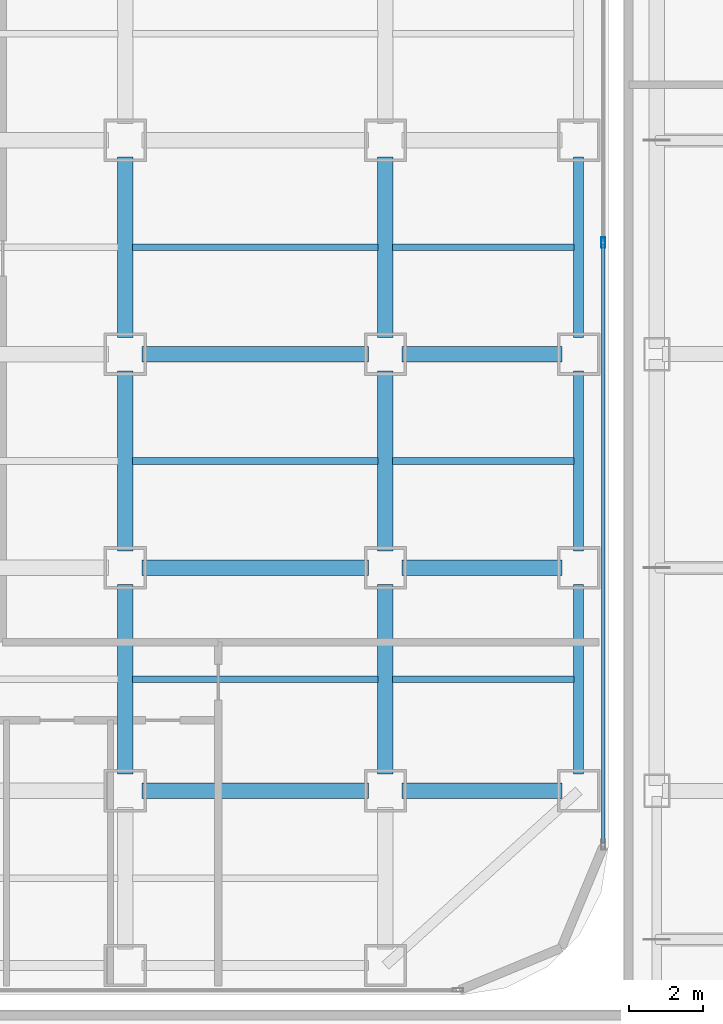
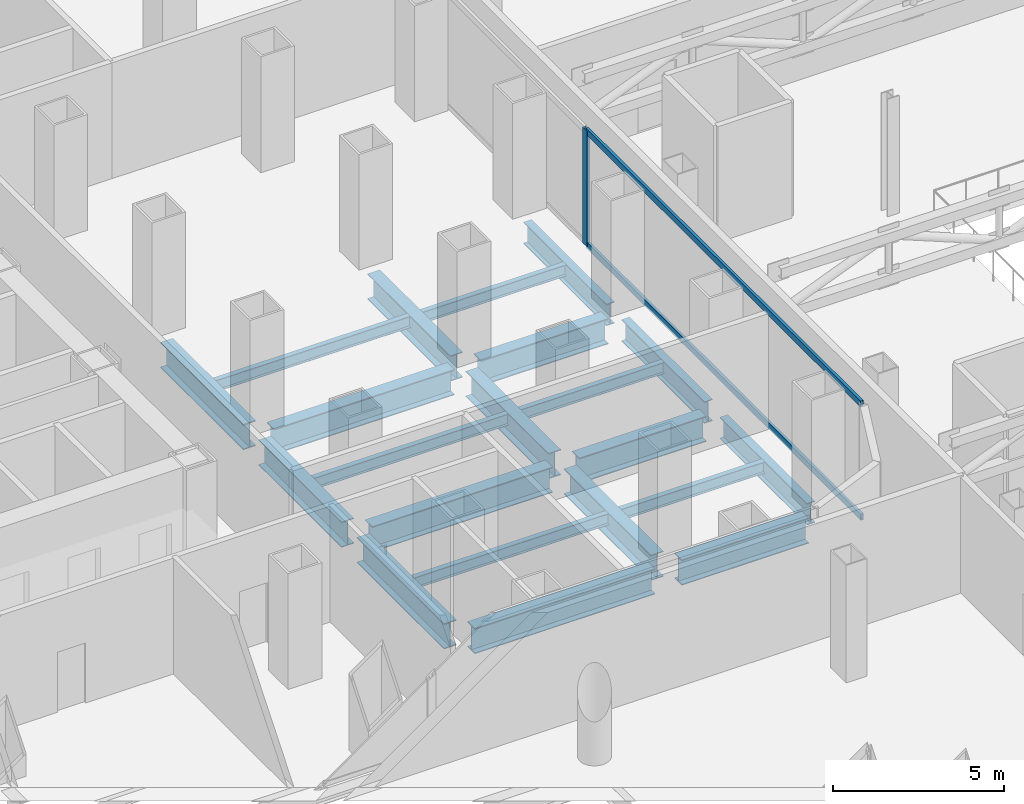
# One storey, part 12 of 28: 21 beams, 3 members, 1 element without a shape of its own.
"""IFC4 building model written with IfcOpenShell, lengths in metres."""

import ifcopenshell
import ifcopenshell.guid

model = None  # the IFC model being written
_history = None  # IfcOwnerHistory: only IFC2X3 demands one
_inside = {}  # id of a spatial element -> (the spatial element, [elements in it])
_under = {}  # id of a project, library or spatial element -> (it, [spatial elements below it])
_declared = {}  # id of a project -> (the project, [libraries it declares])
_typed = {}  # id of a type object -> (the type object, [elements of that type])
_made_of = {}  # id of a material, layer set ... -> (it, [elements and type objects made of it])


def new_model(schema):
    """Start an empty IFC model of exactly this schema.

    Asked for "IFC4X3", IfcOpenShell would pick the latest addendum, in which some entities
    have other attributes; the version numbers below select the first issue.
    IFC2X3 requires an IfcOwnerHistory on every rooted entity: one is made here for all.
    """
    global model, _history
    if schema == "IFC4X3":
        model = ifcopenshell.file(schema_version=(4, 3, 0, 0))
    else:
        model = ifcopenshell.file(schema=schema)
    _inside.clear()
    _under.clear()
    _declared.clear()
    _typed.clear()
    _made_of.clear()
    _history = None
    if model.schema == "IFC2X3":
        org = make("IfcOrganization", Name="unknown")
        user = make(
            "IfcPersonAndOrganization",
            ThePerson=make("IfcPerson", FamilyName="unknown"),
            TheOrganization=org,
        )
        app = make(
            "IfcApplication",
            ApplicationDeveloper=org,
            Version="unknown",
            ApplicationFullName="unknown",
            ApplicationIdentifier="unknown",
        )
        _history = make(
            "IfcOwnerHistory",
            OwningUser=user,
            OwningApplication=app,
            ChangeAction="ADDED",
            CreationDate=0,
        )
    return model


def make(cls, **values):
    """One entity of the class cls with the attributes given. An attribute that is None is left unset."""
    return model.create_entity(
        cls, **{name: value for name, value in values.items() if value is not None}
    )


def rooted(cls, **values):
    """An entity with a GlobalId (a new one), such as an element, a storey or a relation."""
    return make(cls, GlobalId=ifcopenshell.guid.new(), OwnerHistory=_history, **values)


def si_unit(unit_type, name, prefix=None):
    """IfcSIUnit, for example si_unit("LENGTHUNIT", "METRE", prefix="MILLI")."""
    return make("IfcSIUnit", UnitType=unit_type, Prefix=prefix, Name=name)


def assignment(units):
    """IfcUnitAssignment: the units of a project."""
    return None if units is None else make("IfcUnitAssignment", Units=units)


def point(xyz):
    """IfcCartesianPoint."""
    return None if xyz is None else make("IfcCartesianPoint", Coordinates=xyz)


def direction(xyz):
    """IfcDirection."""
    return None if xyz is None else make("IfcDirection", DirectionRatios=xyz)


def frame(location, z_axis=None, x_axis=None):
    """IfcAxis2Placement3D, a coordinate frame: its origin and axes. An axis left out is left unset."""
    return make(
        "IfcAxis2Placement3D",
        Location=point(location),
        Axis=direction(z_axis),
        RefDirection=direction(x_axis),
    )


def frame_2d(location, x_axis=None):
    """IfcAxis2Placement2D, a coordinate frame in the plane: its origin and x axis."""
    return make(
        "IfcAxis2Placement2D", Location=point(location), RefDirection=direction(x_axis)
    )


def origin():
    """The frame at (0, 0, 0) with its axes left unset."""
    return frame((0.0, 0.0, 0.0))


def origin_2d():
    """The frame at (0, 0) in the plane with its x axis left unset."""
    return frame_2d((0.0, 0.0))


def place(relative_to, where):
    """IfcLocalPlacement: puts the frame where relative to a parent placement (None: the world)."""
    return make(
        "IfcLocalPlacement", PlacementRelTo=relative_to, RelativePlacement=where
    )


def context(
    kind, dimensions, precision=None, world=None, true_north=None, identifier=None
):
    """IfcGeometricRepresentationContext, for example the 3D "Model" context."""
    return make(
        "IfcGeometricRepresentationContext",
        ContextIdentifier=identifier,
        ContextType=kind,
        CoordinateSpaceDimension=dimensions,
        Precision=precision,
        WorldCoordinateSystem=world,
        TrueNorth=true_north,
    )


def subcontext(parent, identifier, kind, view, scale=None):
    """IfcGeometricRepresentationSubContext, for example "Body" below "Model"."""
    return make(
        "IfcGeometricRepresentationSubContext",
        ContextIdentifier=identifier,
        ContextType=kind,
        ParentContext=parent,
        TargetScale=scale,
        TargetView=view,
    )


def project(units=None, contexts=None):
    """IfcProject with its units and contexts."""
    return rooted(
        "IfcProject",
        Name="project",
        RepresentationContexts=contexts,
        UnitsInContext=assignment(units),
    )


def spatial(cls, under=None, at=None, **own):
    """A site, building, storey or space (cls), placed at a placement, below another one or the project."""
    s = rooted(cls, ObjectPlacement=at, **own)
    if under is not None:
        _under.setdefault(under.id(), (under, []))[1].append(s)
    return s


def profile(cls, at=None, kind="AREA", **sizes):
    """A parametric profile (cls). Its sizes go by their IFC names, for example OverallWidth=200.0."""
    return make(cls, ProfileType=kind, Position=at, **sizes)


def hollow_rectangle(**sizes):
    """IfcRectangleHollowProfileDef."""
    return profile("IfcRectangleHollowProfileDef", **sizes)


def i_section(**sizes):
    """IfcIShapeProfileDef."""
    return profile("IfcIShapeProfileDef", **sizes)


def extrude(swept, where, along, depth):
    """IfcExtrudedAreaSolid: the profile swept, set in the frame where, extruded along a direction by depth."""
    return make(
        "IfcExtrudedAreaSolid",
        SweptArea=swept,
        Position=where,
        ExtrudedDirection=direction(along),
        Depth=depth,
    )


def shape(context_of_items, identifier, shape_type, items):
    """IfcShapeRepresentation: the items that make up one representation, for example the "Body"."""
    return make(
        "IfcShapeRepresentation",
        ContextOfItems=context_of_items,
        RepresentationIdentifier=identifier,
        RepresentationType=shape_type,
        Items=items,
    )


def source(mapping_origin, context_of_items, identifier, shape_type, items):
    """IfcRepresentationMap: a shape defined once, which mapped items show again and again."""
    return make(
        "IfcRepresentationMap",
        MappingOrigin=mapping_origin,
        MappedRepresentation=shape(context_of_items, identifier, shape_type, items),
    )


def transform(
    local_origin,
    x_axis=None,
    y_axis=None,
    z_axis=None,
    scale=None,
    scale2=None,
    scale3=None,
    uniform=True,
):
    """IfcCartesianTransformationOperator3D, or its non-uniform kind. x_axis, y_axis, z_axis: its Axis1, 2, 3."""
    if uniform:
        return make(
            "IfcCartesianTransformationOperator3D",
            Axis1=direction(x_axis),
            Axis2=direction(y_axis),
            LocalOrigin=point(local_origin),
            Scale=scale,
            Axis3=direction(z_axis),
        )
    return make(
        "IfcCartesianTransformationOperator3DnonUniform",
        Axis1=direction(x_axis),
        Axis2=direction(y_axis),
        LocalOrigin=point(local_origin),
        Scale=scale,
        Axis3=direction(z_axis),
        Scale2=scale2,
        Scale3=scale3,
    )


def mapped(mapping_source, mapping_target):
    """IfcMappedItem: shows the shape of a source again, moved by a transform."""
    return make(
        "IfcMappedItem", MappingSource=mapping_source, MappingTarget=mapping_target
    )


def material(Name=None, Category=None):
    """IfcMaterial."""
    return make("IfcMaterial", Name=Name, Category=Category)


def layer(
    of_material, thickness, ventilated=None, Name=None, Category=None, Priority=None
):
    """IfcMaterialLayer: one layer of a wall or slab, of a material (None: an air gap)."""
    return make(
        "IfcMaterialLayer",
        Material=of_material,
        LayerThickness=thickness,
        IsVentilated=ventilated,
        Name=Name,
        Category=Category,
        Priority=Priority,
    )


def layer_set(layers, Name=None):
    """IfcMaterialLayerSet."""
    return make("IfcMaterialLayerSet", MaterialLayers=layers, LayerSetName=Name)


def material_profile(
    of_material, cross_section, Name=None, Category=None, Priority=None
):
    """IfcMaterialProfile: a cross section and its material."""
    return make(
        "IfcMaterialProfile",
        Name=Name,
        Material=of_material,
        Profile=cross_section,
        Priority=Priority,
        Category=Category,
    )


def profile_set(profiles, Name=None, composite=None):
    """IfcMaterialProfileSet."""
    return make(
        "IfcMaterialProfileSet",
        Name=Name,
        MaterialProfiles=profiles,
        CompositeProfile=composite,
    )


def made_of(thing, what):
    """Note that an element or type object is made of a material, layer set ...; save() writes the relation."""
    if what is not None:
        _made_of.setdefault(what.id(), (what, []))[1].append(thing)
    return thing


def type_object(cls, material=None, **own):
    """A type object (cls), such as IfcWallType, which elements share."""
    return made_of(rooted(cls, **own), material)


def element(
    cls,
    number,
    at=None,
    inside=None,
    cuts=None,
    type_object=None,
    material=None,
    context=None,
    identifier="Body",
    shape_type=None,
    held_by="IfcProductDefinitionShape",
    body=None,
    shapes=None,
    **own,
):
    """One element of the class cls, such as IfcWall. Its Tag is "e" and its number.

    at: its placement. inside: the storey or other place that contains it. cuts: it is an
    opening in that element (IfcRelVoidsElement). A single representation is given by context,
    identifier, shape_type and body (its items); several are given by shapes. held_by: the class
    of the entity that holds the representations. save() writes the other relations.
    """
    e = rooted(cls, Tag="e%d" % number, ObjectPlacement=at, **own)
    if body is not None:
        shapes = [shape(context, identifier, shape_type, body)]
    if shapes is not None:
        e.Representation = make(held_by, Representations=shapes)
    if inside is not None:
        _inside.setdefault(inside.id(), (inside, []))[1].append(e)
    if cuts is not None:
        rooted(
            "IfcRelVoidsElement", RelatingBuildingElement=cuts, RelatedOpeningElement=e
        )
    if type_object is not None:
        _typed.setdefault(type_object.id(), (type_object, []))[1].append(e)
    return made_of(e, material)


def aggregate(whole, parts):
    """IfcRelAggregates: a whole, such as a stair, and the parts it consists of."""
    return rooted("IfcRelAggregates", RelatingObject=whole, RelatedObjects=parts)


def save(model, path):
    """Write the relations noted so far, then the file.

    IfcRelAggregates (storeys below a building ...), IfcRelContainedInSpatialStructure (elements
    in a storey), IfcRelDefinesByType, IfcRelAssociatesMaterial and IfcRelDeclares: one each for
    every whole, place, type object, material and project.
    """
    for whole, parts in _under.values():
        aggregate(whole, parts)
    for where, things in _inside.values():
        rooted(
            "IfcRelContainedInSpatialStructure",
            RelatedElements=things,
            RelatingStructure=where,
        )
    for kind, things in _typed.values():
        rooted("IfcRelDefinesByType", RelatedObjects=things, RelatingType=kind)
    for what, things in _made_of.values():
        rooted("IfcRelAssociatesMaterial", RelatedObjects=things, RelatingMaterial=what)
    for by, libraries in _declared.values():
        rooted("IfcRelDeclares", RelatingContext=by, RelatedDefinitions=libraries)
    model.write(path)


model = new_model("IFC4")

# Units and contexts
model_context = context("Model", 3, precision=1e-05, world=origin(), true_north=direction((0.0, 1.0)))
body_context = subcontext(model_context, "Body", "Model", "MODEL_VIEW")
ifc_project = project(units=[si_unit("LENGTHUNIT", "METRE"), si_unit("AREAUNIT", "SQUARE_METRE"), si_unit("VOLUMEUNIT", "CUBIC_METRE"), si_unit("PLANEANGLEUNIT", "RADIAN"), si_unit("MASSUNIT", "GRAM", prefix="KILO")], contexts=[model_context])

# Site, building, storey
site_placement = place(None, origin())
site = spatial("IfcSite", under=ifc_project, at=site_placement, CompositionType="ELEMENT")
building_placement = place(site_placement, origin())
building = spatial("IfcBuilding", under=site, at=building_placement, Name="Kolveth Station Tower", CompositionType="ELEMENT")
storey_placement = place(building_placement, frame((0.0, 0.0, 18.0)))
storey = spatial("IfcBuildingStorey", under=building, at=storey_placement, Name="L04", CompositionType="ELEMENT", Elevation=18.0)

# Beams
ifc_material_1 = material(Name="Steel S355", Category="steel")
ifc_material_profile_1 = material_profile(ifc_material_1, i_section(OverallWidth=0.26904296875, OverallDepth=0.77490234375, WebThickness=0.01708984375, FlangeThickness=0.0283203125, at=origin_2d()), Name="W760x220")
ifc_profile_set_1 = profile_set([ifc_material_profile_1], Name="Steel S355")
beam_type_1 = type_object("IfcBeamType", Name="Beam_SP1", PredefinedType="SPANDREL", material=ifc_profile_set_1)
shared_shape_1 = source(origin(), body_context, "Body", "SweptSolid", [
    extrude(i_section(OverallWidth=0.26904296875, OverallDepth=0.77490234375, WebThickness=0.01708984375, FlangeThickness=0.0283203125, at=origin_2d()), origin(), (0.0, 0.0, 1.0), 5.10009765625),
])
beam_placement = place(storey_placement, frame((46.199951171875, 5.949951171875, -0.70751953125), z_axis=(0.0, 1.0, 0.0), x_axis=(-1.0, 0.0, 0.0)))
element("IfcBeam", 1, at=beam_placement, inside=storey, type_object=beam_type_1, Name="L04 Perimeter Spandrel BM-L04-PE-1", PredefinedType="SPANDREL", context=body_context, shape_type="MappedRepresentation", body=[
    mapped(shared_shape_1, transform((0.0, 0.0, 0.0), x_axis=(1.0, 0.0, 0.0), y_axis=(0.0, 1.0, 0.0), z_axis=(0.0, 0.0, 1.0), scale=1.0)),
])
shared_shape_2 = source(origin(), body_context, "Body", "SweptSolid", [
    extrude(i_section(OverallWidth=0.26904296875, OverallDepth=0.77490234375, WebThickness=0.01708984375, FlangeThickness=0.0283203125, at=origin_2d()), origin(), (0.0, 0.0, 1.0), 4.85009765625),
])
for number, where, z_axis, x_axis, name in (
    (2, (46.199951171875, 11.949951171875, -0.70751953125), (0.0, 1.0, 0.0), (-1.0, 0.0, 0.0), "L04 Perimeter Spandrel BM-L04-PE-2"),
    (3, (46.199951171875, 17.699951171875, -0.70751953125), (0.0, 1.0, 0.0), (-1.0, 0.0, 0.0), "L04 Perimeter Spandrel BM-L04-PE-3"),
):
    element("IfcBeam", number, at=place(storey_placement, frame(where, z_axis=z_axis, x_axis=x_axis)), inside=storey, type_object=beam_type_1, Name=name, PredefinedType="SPANDREL", context=body_context, shape_type="MappedRepresentation", body=[
        mapped(shared_shape_2, transform((0.0, 0.0, 0.0), x_axis=(1.0, 0.0, 0.0), y_axis=(0.0, 1.0, 0.0), z_axis=(0.0, 0.0, 1.0), scale=1.0)),
    ])
ifc_material_profile_2 = material_profile(ifc_material_1, i_section(OverallWidth=0.41796875, OverallDepth=0.912109375, WebThickness=0.019287109375, FlangeThickness=0.031982421875, at=origin_2d()), Name="W920x342")
ifc_profile_set_2 = profile_set([ifc_material_profile_2], Name="Steel S355")
beam_type_2 = type_object("IfcBeamType", Name="Beam_B1", PredefinedType="BEAM", material=ifc_profile_set_2)
shared_shape_3 = source(origin(), body_context, "Body", "SweptSolid", [
    extrude(i_section(OverallWidth=0.41796875, OverallDepth=0.912109375, WebThickness=0.019287109375, FlangeThickness=0.031982421875, at=origin_2d()), origin(), (0.0, 0.0, 1.0), 4.300048828125),
])
for number, where, z_axis, x_axis, name in (
    (4, (41.449951171875, 5.5, -0.77587890625), (1.0, 0.0, 0.0), (0.0, 1.0, 0.0), "L04 Primary Girder BM-L04-GY55-7"),
    (5, (41.449951171875, 11.5, -0.77587890625), (1.0, 0.0, 0.0), (0.0, 1.0, 0.0), "L04 Primary Girder BM-L04-GY115-7"),
    (6, (41.449951171875, 17.25, -0.77587890625), (1.0, 0.0, 0.0), (0.0, 1.0, 0.0), "L04 Primary Girder BM-L04-GY172-7"),
):
    element("IfcBeam", number, at=place(storey_placement, frame(where, z_axis=z_axis, x_axis=x_axis)), inside=storey, type_object=beam_type_2, Name=name, PredefinedType="BEAM", context=body_context, shape_type="MappedRepresentation", body=[
        mapped(shared_shape_3, transform((0.0, 0.0, 0.0), x_axis=(1.0, 0.0, 0.0), y_axis=(0.0, 1.0, 0.0), z_axis=(0.0, 0.0, 1.0), scale=1.0)),
    ])
shared_shape_4 = source(origin(), body_context, "Body", "SweptSolid", [
    extrude(i_section(OverallWidth=0.41796875, OverallDepth=0.912109375, WebThickness=0.019287109375, FlangeThickness=0.031982421875, at=origin_2d()), origin(), (0.0, 0.0, 1.0), 6.10009765625),
])
for number, where, z_axis, x_axis, name in (
    (7, (34.449951171875, 5.5, -0.77587890625), (1.0, 0.0, 0.0), (0.0, 1.0, 0.0), "L04 Primary Girder BM-L04-GY55-6"),
    (8, (34.449951171875, 11.5, -0.77587890625), (1.0, 0.0, 0.0), (0.0, 1.0, 0.0), "L04 Primary Girder BM-L04-GY115-6"),
    (9, (34.449951171875, 17.25, -0.77587890625), (1.0, 0.0, 0.0), (0.0, 1.0, 0.0), "L04 Primary Girder BM-L04-GY172-6"),
):
    element("IfcBeam", number, at=place(storey_placement, frame(where, z_axis=z_axis, x_axis=x_axis)), inside=storey, type_object=beam_type_2, Name=name, PredefinedType="BEAM", context=body_context, shape_type="MappedRepresentation", body=[
        mapped(shared_shape_4, transform((0.0, 0.0, 0.0), x_axis=(1.0, 0.0, 0.0), y_axis=(0.0, 1.0, 0.0), z_axis=(0.0, 0.0, 1.0), scale=1.0)),
    ])
shared_shape_5 = source(origin(), body_context, "Body", "SweptSolid", [
    extrude(i_section(OverallWidth=0.41796875, OverallDepth=0.912109375, WebThickness=0.019287109375, FlangeThickness=0.031982421875, at=origin_2d()), origin(), (0.0, 0.0, 1.0), 5.10009765625),
])
for number, where, z_axis, x_axis, name in (
    (10, (34.0, 5.949951171875, -0.77587890625), (0.0, 1.0, 0.0), (-1.0, 0.0, 0.0), "L04 Primary Girder BM-L04-GX340-2"),
    (11, (41.0, 5.949951171875, -0.77587890625), (0.0, 1.0, 0.0), (-1.0, 0.0, 0.0), "L04 Primary Girder BM-L04-GX410-2"),
):
    element("IfcBeam", number, at=place(storey_placement, frame(where, z_axis=z_axis, x_axis=x_axis)), inside=storey, type_object=beam_type_2, Name=name, PredefinedType="BEAM", context=body_context, shape_type="MappedRepresentation", body=[
        mapped(shared_shape_5, transform((0.0, 0.0, 0.0), x_axis=(1.0, 0.0, 0.0), y_axis=(0.0, 1.0, 0.0), z_axis=(0.0, 0.0, 1.0), scale=1.0)),
    ])
shared_shape_6 = source(origin(), body_context, "Body", "SweptSolid", [
    extrude(i_section(OverallWidth=0.41796875, OverallDepth=0.912109375, WebThickness=0.019287109375, FlangeThickness=0.031982421875, at=origin_2d()), origin(), (0.0, 0.0, 1.0), 4.85009765625),
])
for number, where, z_axis, x_axis, name in (
    (12, (34.0, 11.949951171875, -0.77587890625), (0.0, 1.0, 0.0), (-1.0, 0.0, 0.0), "L04 Primary Girder BM-L04-GX340-3"),
    (13, (34.0, 17.699951171875, -0.77587890625), (0.0, 1.0, 0.0), (-1.0, 0.0, 0.0), "L04 Primary Girder BM-L04-GX340-4"),
    (14, (41.0, 11.949951171875, -0.77587890625), (0.0, 1.0, 0.0), (-1.0, 0.0, 0.0), "L04 Primary Girder BM-L04-GX410-3"),
    (15, (41.0, 17.699951171875, -0.77587890625), (0.0, 1.0, 0.0), (-1.0, 0.0, 0.0), "L04 Primary Girder BM-L04-GX410-4"),
):
    element("IfcBeam", number, at=place(storey_placement, frame(where, z_axis=z_axis, x_axis=x_axis)), inside=storey, type_object=beam_type_2, Name=name, PredefinedType="BEAM", context=body_context, shape_type="MappedRepresentation", body=[
        mapped(shared_shape_6, transform((0.0, 0.0, 0.0), x_axis=(1.0, 0.0, 0.0), y_axis=(0.0, 1.0, 0.0), z_axis=(0.0, 0.0, 1.0), scale=1.0)),
    ])
ifc_material_profile_3 = material_profile(ifc_material_1, i_section(OverallWidth=0.177978515625, OverallDepth=0.406982421875, WebThickness=0.0078125, FlangeThickness=0.0126953125, at=origin_2d()), Name="W410x60")
ifc_profile_set_3 = profile_set([ifc_material_profile_3], Name="Steel S355")
beam_type_3 = type_object("IfcBeamType", Name="Beam_J1", PredefinedType="JOIST", material=ifc_profile_set_3)
shared_shape_7 = source(origin(), body_context, "Body", "SweptSolid", [
    extrude(i_section(OverallWidth=0.177978515625, OverallDepth=0.406982421875, WebThickness=0.0078125, FlangeThickness=0.0126953125, at=origin_2d()), origin(), (0.0, 0.0, 1.0), 4.872314453125),
])
for number, where, z_axis, x_axis, name in (
    (16, (41.195068359375, 8.5, -0.5234375), (1.0, 0.0, 0.0), (0.0, 1.0, 0.0), "L04 Secondary Joist JST-L04-7-2"),
    (17, (41.195068359375, 14.375, -0.5234375), (1.0, 0.0, 0.0), (0.0, 1.0, 0.0), "L04 Secondary Joist JST-L04-7-3"),
    (18, (41.195068359375, 20.125, -0.5234375), (1.0, 0.0, 0.0), (0.0, 1.0, 0.0), "L04 Secondary Joist JST-L04-7-4"),
):
    element("IfcBeam", number, at=place(storey_placement, frame(where, z_axis=z_axis, x_axis=x_axis)), inside=storey, type_object=beam_type_3, Name=name, PredefinedType="JOIST", context=body_context, shape_type="MappedRepresentation", body=[
        mapped(shared_shape_7, transform((0.0, 0.0, 0.0), x_axis=(1.0, 0.0, 0.0), y_axis=(0.0, 1.0, 0.0), z_axis=(0.0, 0.0, 1.0), scale=1.0)),
    ])
shared_shape_8 = source(origin(), body_context, "Body", "SweptSolid", [
    extrude(i_section(OverallWidth=0.177978515625, OverallDepth=0.406982421875, WebThickness=0.0078125, FlangeThickness=0.0126953125, at=origin_2d()), origin(), (0.0, 0.0, 1.0), 6.60986328125),
])
for number, where, z_axis, x_axis, name in (
    (19, (34.195068359375, 8.5, -0.5234375), (1.0, 0.0, 0.0), (0.0, 1.0, 0.0), "L04 Secondary Joist JST-L04-6-2"),
    (20, (34.195068359375, 14.375, -0.5234375), (1.0, 0.0, 0.0), (0.0, 1.0, 0.0), "L04 Secondary Joist JST-L04-6-3"),
    (21, (34.195068359375, 20.125, -0.5234375), (1.0, 0.0, 0.0), (0.0, 1.0, 0.0), "L04 Secondary Joist JST-L04-6-4"),
):
    element("IfcBeam", number, at=place(storey_placement, frame(where, z_axis=z_axis, x_axis=x_axis)), inside=storey, type_object=beam_type_3, Name=name, PredefinedType="JOIST", context=body_context, shape_type="MappedRepresentation", body=[
        mapped(shared_shape_8, transform((0.0, 0.0, 0.0), x_axis=(1.0, 0.0, 0.0), y_axis=(0.0, 1.0, 0.0), z_axis=(0.0, 0.0, 1.0), scale=1.0)),
    ])

# Curtain wall, members
ifc_material_2 = material(Name="Black anodized aluminium 6063-T6 and clear station glass", Category="aluminium")
ifc_layer = layer(ifc_material_2, 0.239990234375)
ifc_layer_set = layer_set([ifc_layer], Name="Black anodized aluminium 6063-T6 and clear station glass")
curtain_wall_type = type_object("IfcCurtainWallType", Name="CurtainWall_CW-ST", PredefinedType="NOTDEFINED", material=ifc_layer_set)
curtain_wall_placement = place(storey_placement, origin())
curtain_wall = element("IfcCurtainWall", 22, at=curtain_wall_placement, inside=storey, type_object=curtain_wall_type, Name="L04 Tower Podium East Storefront Curtain Wall", PredefinedType="NOTDEFINED")
ifc_material_3 = material(Name="Black anodized aluminium 6063-T6", Category="aluminium")
ifc_material_profile_4 = material_profile(ifc_material_3, hollow_rectangle(XDim=0.094970703125, YDim=0.219970703125, WallThickness=0.0048828125, at=origin_2d()), Name="ALU-95x220x5")
ifc_profile_set_4 = profile_set([ifc_material_profile_4], Name="Black anodized aluminium 6063-T6")
member_type_1 = type_object("IfcMemberType", Name="Transom_TR-ST", PredefinedType="USERDEFINED", material=ifc_profile_set_4)
shared_shape_9 = source(origin(), body_context, "Body", "SweptSolid", [
    extrude(hollow_rectangle(XDim=0.094970703125, YDim=0.219970703125, WallThickness=0.0048828125, at=origin_2d()), origin(), (0.0, 0.0, 1.0), 16.099853515625),
])
member_1_placement = place(storey_placement, frame((46.860107421875, 4.10009765625, 0.047607421875), z_axis=(0.0, 1.0, 0.0), x_axis=(-1.0, 0.0, 0.0)))
member_1 = element("IfcMember", 23, at=member_1_placement, type_object=member_type_1, Name="CW-ST transom 1.1", ObjectType="TRANSOM", PredefinedType="USERDEFINED", context=body_context, shape_type="MappedRepresentation", body=[
    mapped(shared_shape_9, transform((0.0, 0.0, 0.0), x_axis=(1.0, 0.0, 0.0), y_axis=(0.0, 1.0, 0.0), z_axis=(0.0, 0.0, 1.0), scale=1.0)),
])
member_2_placement = place(storey_placement, frame((46.860107421875, 4.10009765625, 4.092529296875), z_axis=(0.0, 1.0, 0.0), x_axis=(-1.0, 0.0, 0.0)))
member_2 = element("IfcMember", 24, at=member_2_placement, type_object=member_type_1, Name="CW-ST transom 1.2", ObjectType="TRANSOM", PredefinedType="USERDEFINED", context=body_context, shape_type="MappedRepresentation", body=[
    mapped(shared_shape_9, transform((0.0, 0.0, 0.0), x_axis=(1.0, 0.0, 0.0), y_axis=(0.0, 1.0, 0.0), z_axis=(0.0, 0.0, 1.0), scale=1.0)),
])
ifc_material_profile_5 = material_profile(ifc_material_3, hollow_rectangle(XDim=0.10009765625, YDim=0.280029296875, WallThickness=0.0048828125, at=origin_2d()), Name="ALU-100x280x5")
ifc_profile_set_5 = profile_set([ifc_material_profile_5], Name="Black anodized aluminium 6063-T6")
member_type_2 = type_object("IfcMemberType", Name="Mullion_ML-ST", PredefinedType="MULLION", material=ifc_profile_set_5)
shared_shape_10 = source(origin(), body_context, "Body", "SweptSolid", [
    extrude(hollow_rectangle(XDim=0.10009765625, YDim=0.280029296875, WallThickness=0.0048828125, at=origin_2d()), origin(), (0.0, 0.0, 1.0), 4.139892578125),
])
member_3_placement = place(storey_placement, frame((46.860107421875, 20.25, 0.0), z_axis=(0.0, 0.0, 1.0), x_axis=(-1.0, 0.0, 0.0)))
member_3 = element("IfcMember", 25, at=member_3_placement, type_object=member_type_2, Name="CW-ST mullion 2", PredefinedType="MULLION", context=body_context, shape_type="MappedRepresentation", body=[
    mapped(shared_shape_10, transform((0.0, 0.0, 0.0), x_axis=(1.0, 0.0, 0.0), y_axis=(0.0, 1.0, 0.0), z_axis=(0.0, 0.0, 1.0), scale=1.0)),
])
aggregate(curtain_wall, [member_3, member_1, member_2])

save(model, "model.ifc")
